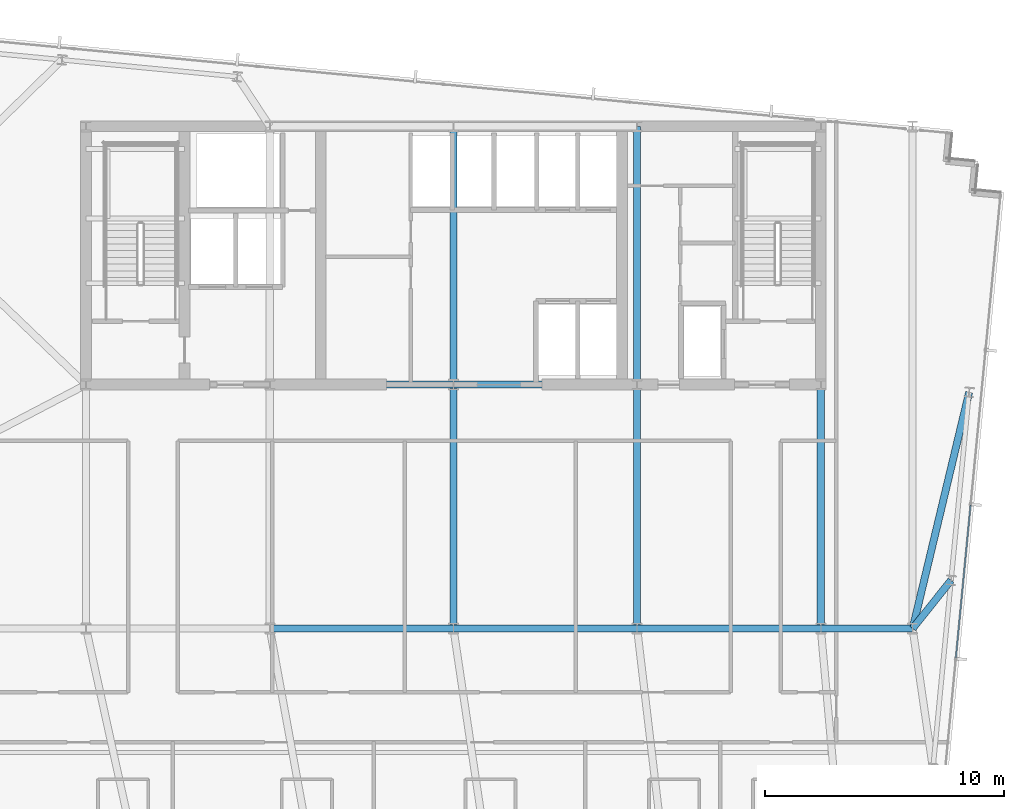
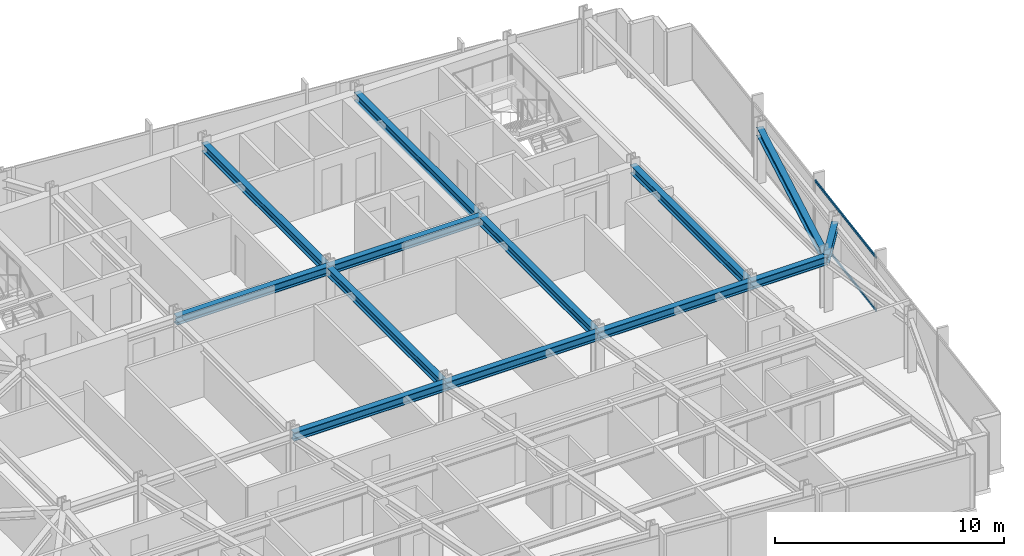
# One storey, part 17 of 37: 13 beams, 2 members, 1 element without a shape of its own.
"""IFC4 building model written with IfcOpenShell, lengths in metres."""

from ifc_helpers import new_model, si_unit, direction, frame, origin, origin_2d, place, context, subcontext, project, spatial, hollow_rectangle, i_section, extrude, material, material_profile, profile_set, type_object, element, aggregate, save


model = new_model("IFC4")

# Units and contexts
model_context = context("Model", 3, precision=1e-05, world=origin(), true_north=direction((0.0, 1.0)))
body_context = subcontext(model_context, "Body", "Model", "MODEL_VIEW")
ifc_project = project(units=[si_unit("LENGTHUNIT", "METRE"), si_unit("AREAUNIT", "SQUARE_METRE"), si_unit("VOLUMEUNIT", "CUBIC_METRE"), si_unit("PLANEANGLEUNIT", "RADIAN"), si_unit("MASSUNIT", "GRAM", prefix="KILO")], contexts=[model_context])

# Site, building, storey
site_placement = place(None, origin())
site = spatial("IfcSite", under=ifc_project, at=site_placement, CompositionType="ELEMENT")
building_placement = place(site_placement, origin())
building = spatial("IfcBuilding", under=site, at=building_placement, Name="Yelkora Congress Tower", CompositionType="ELEMENT")
storey_placement = place(building_placement, frame((0.0, 0.0, 188.60009765625)))
storey = spatial("IfcBuildingStorey", under=building, at=storey_placement, Name="L52", CompositionType="ELEMENT", Elevation=188.60009765625)

# Beams
ifc_material_1 = material(Name="Steel S355J2", Category="steel")
ifc_material_profile_1 = material_profile(ifc_material_1, i_section(OverallWidth=0.300048828125, OverallDepth=0.449951171875, WebThickness=0.013916015625, FlangeThickness=0.02587890625, FilletRadius=0.027099609375, at=origin_2d()), Name="HEB 450")
ifc_profile_set_1 = profile_set([ifc_material_profile_1], Name="Steel S355J2")
beam_type = type_object("IfcBeamType", Name="BM-GIRD-HEB450", PredefinedType="BEAM", material=ifc_profile_set_1)
beam_1_placement = place(storey_placement, frame((30.719970703125, 25.199951171875, 2.65478515625), z_axis=(1.0, 0.0, 0.0), x_axis=(0.0, 1.0, 0.0)))
element("IfcBeam", 1, at=beam_1_placement, inside=storey, type_object=beam_type, Name="L52 Spine Grid D Girder 3", PredefinedType="BEAM", context=body_context, shape_type="SweptSolid", body=[
    extrude(i_section(OverallWidth=0.300048828125, OverallDepth=0.449951171875, WebThickness=0.013916015625, FlangeThickness=0.02587890625, FilletRadius=0.027099609375, at=origin_2d()), origin(), (0.0, 0.0, 1.0), 7.679931640625),
])
beam_2_placement = place(storey_placement, frame((38.39990234375, 25.199951171875, 2.65478515625), z_axis=(1.0, 0.0, 0.0), x_axis=(0.0, 1.0, 0.0)))
element("IfcBeam", 2, at=beam_2_placement, inside=storey, type_object=beam_type, Name="L52 Spine Grid D Girder 4", PredefinedType="BEAM", context=body_context, shape_type="SweptSolid", body=[
    extrude(i_section(OverallWidth=0.300048828125, OverallDepth=0.449951171875, WebThickness=0.013916015625, FlangeThickness=0.02587890625, FilletRadius=0.027099609375, at=origin_2d()), origin(), (0.0, 0.0, 1.0), 7.68017578125),
])
beam_3_placement = place(storey_placement, frame((46.080078125, 25.199951171875, 2.65478515625), z_axis=(1.0, 0.0, 0.0), x_axis=(0.0, 1.0, 0.0)))
element("IfcBeam", 3, at=beam_3_placement, inside=storey, type_object=beam_type, Name="L52 Spine Grid D Girder 5", PredefinedType="BEAM", context=body_context, shape_type="SweptSolid", body=[
    extrude(i_section(OverallWidth=0.300048828125, OverallDepth=0.449951171875, WebThickness=0.013916015625, FlangeThickness=0.02587890625, FilletRadius=0.027099609375, at=origin_2d()), origin(), (0.0, 0.0, 1.0), 7.679931640625),
])
beam_4_placement = place(storey_placement, frame((53.760009765625, 25.199951171875, 2.65478515625), z_axis=(1.0, 0.0, 0.0), x_axis=(0.0, 1.0, 0.0)))
element("IfcBeam", 4, at=beam_4_placement, inside=storey, type_object=beam_type, Name="L52 Spine Grid D Girder 6", PredefinedType="BEAM", context=body_context, shape_type="SweptSolid", body=[
    extrude(i_section(OverallWidth=0.300048828125, OverallDepth=0.449951171875, WebThickness=0.013916015625, FlangeThickness=0.02587890625, FilletRadius=0.027099609375, at=origin_2d()), origin(), (0.0, 0.0, 1.0), 3.840087890625),
])
beam_5_placement = place(storey_placement, frame((30.719970703125, 35.39990234375, 2.65478515625), z_axis=(1.0, 0.0, 0.0), x_axis=(0.0, 1.0, 0.0)))
element("IfcBeam", 5, at=beam_5_placement, inside=storey, type_object=beam_type, Name="L52 Core South Girder 2", PredefinedType="BEAM", context=body_context, shape_type="SweptSolid", body=[
    extrude(i_section(OverallWidth=0.300048828125, OverallDepth=0.449951171875, WebThickness=0.013916015625, FlangeThickness=0.02587890625, FilletRadius=0.027099609375, at=origin_2d()), origin(), (0.0, 0.0, 1.0), 7.679931640625),
])
beam_6_placement = place(storey_placement, frame((38.39990234375, 35.39990234375, 2.65478515625), z_axis=(1.0, 0.0, 0.0), x_axis=(0.0, 1.0, 0.0)))
element("IfcBeam", 6, at=beam_6_placement, inside=storey, type_object=beam_type, Name="L52 Core South Girder 3", PredefinedType="BEAM", context=body_context, shape_type="SweptSolid", body=[
    extrude(i_section(OverallWidth=0.300048828125, OverallDepth=0.449951171875, WebThickness=0.013916015625, FlangeThickness=0.02587890625, FilletRadius=0.027099609375, at=origin_2d()), origin(), (0.0, 0.0, 1.0), 7.68017578125),
])
beam_7_placement = place(storey_placement, frame((38.39990234375, 25.199951171875, 2.65478515625), z_axis=(0.0, 1.0, 0.0), x_axis=(-1.0, 0.0, 0.0)))
element("IfcBeam", 7, at=beam_7_placement, inside=storey, type_object=beam_type, Name="L52 Core Tie Girder MC-D3", PredefinedType="BEAM", context=body_context, shape_type="SweptSolid", body=[
    extrude(i_section(OverallWidth=0.300048828125, OverallDepth=0.449951171875, WebThickness=0.013916015625, FlangeThickness=0.02587890625, FilletRadius=0.027099609375, at=origin_2d()), origin(), (0.0, 0.0, 1.0), 10.199951171875),
])
beam_8_placement = place(storey_placement, frame((38.39990234375, 35.39990234375, 2.65478515625), z_axis=(0.0, 1.0, 0.0), x_axis=(-1.0, 0.0, 0.0)))
element("IfcBeam", 8, at=beam_8_placement, inside=storey, type_object=beam_type, Name="L52 Core Tie Girder MC-S3", PredefinedType="BEAM", context=body_context, shape_type="SweptSolid", body=[
    extrude(i_section(OverallWidth=0.300048828125, OverallDepth=0.449951171875, WebThickness=0.013916015625, FlangeThickness=0.02587890625, FilletRadius=0.027099609375, at=origin_2d()), origin(), (0.0, 0.0, 1.0), 10.800048828125),
])
beam_9_placement = place(storey_placement, frame((46.080078125, 25.199951171875, 2.65478515625), z_axis=(0.0, 1.0, 0.0), x_axis=(-1.0, 0.0, 0.0)))
element("IfcBeam", 9, at=beam_9_placement, inside=storey, type_object=beam_type, Name="L52 Core Tie Girder MC-D4", PredefinedType="BEAM", context=body_context, shape_type="SweptSolid", body=[
    extrude(i_section(OverallWidth=0.300048828125, OverallDepth=0.449951171875, WebThickness=0.013916015625, FlangeThickness=0.02587890625, FilletRadius=0.027099609375, at=origin_2d()), origin(), (0.0, 0.0, 1.0), 10.199951171875),
])
beam_10_placement = place(storey_placement, frame((46.080078125, 35.39990234375, 2.65478515625), z_axis=(0.0, 1.0, 0.0), x_axis=(-1.0, 0.0, 0.0)))
element("IfcBeam", 10, at=beam_10_placement, inside=storey, type_object=beam_type, Name="L52 Core Tie Girder MC-S4", PredefinedType="BEAM", context=body_context, shape_type="SweptSolid", body=[
    extrude(i_section(OverallWidth=0.300048828125, OverallDepth=0.449951171875, WebThickness=0.013916015625, FlangeThickness=0.02587890625, FilletRadius=0.027099609375, at=origin_2d()), origin(), (0.0, 0.0, 1.0), 10.800048828125),
])
beam_11_placement = place(storey_placement, frame((53.760009765625, 25.199951171875, 2.65478515625), z_axis=(0.0, 1.0, 0.0), x_axis=(-1.0, 0.0, 0.0)))
element("IfcBeam", 11, at=beam_11_placement, inside=storey, type_object=beam_type, Name="L52 Core Tie Girder MC-D5", PredefinedType="BEAM", context=body_context, shape_type="SweptSolid", body=[
    extrude(i_section(OverallWidth=0.300048828125, OverallDepth=0.449951171875, WebThickness=0.013916015625, FlangeThickness=0.02587890625, FilletRadius=0.027099609375, at=origin_2d()), origin(), (0.0, 0.0, 1.0), 10.199951171875),
])
beam_12_placement = place(storey_placement, frame((59.206298828125, 27.217529296875, 2.65478515625), z_axis=(-0.622834511353, -0.782353610248, 0.0), x_axis=(0.782353610248, -0.622834511353, 0.0)))
element("IfcBeam", 12, at=beam_12_placement, inside=storey, type_object=beam_type, Name="L52 Primary Frame Girder E02", PredefinedType="BEAM", context=body_context, shape_type="SweptSolid", body=[
    extrude(i_section(OverallWidth=0.300048828125, OverallDepth=0.449951171875, WebThickness=0.013916015625, FlangeThickness=0.02587890625, FilletRadius=0.027099609375, at=origin_2d()), origin(), (0.0, 0.0, 1.0), 2.578857421875),
])
beam_13_placement = place(storey_placement, frame((59.96337890625, 35.0810546875, 2.65478515625), z_axis=(-0.23261126158, -0.972569792347, 0.0), x_axis=(0.972569792347, -0.23261126158, 0.0)))
element("IfcBeam", 13, at=beam_13_placement, inside=storey, type_object=beam_type, Name="L52 Primary Frame Girder E03", PredefinedType="BEAM", context=body_context, shape_type="SweptSolid", body=[
    extrude(i_section(OverallWidth=0.300048828125, OverallDepth=0.449951171875, WebThickness=0.013916015625, FlangeThickness=0.02587890625, FilletRadius=0.027099609375, at=origin_2d()), origin(), (0.0, 0.0, 1.0), 10.15966796875),
])

# Curtain wall, members
ifc_material_2 = material(Name="Anodised aluminium and insulated glass", Category="aluminium")
curtain_wall_type = type_object("IfcCurtainWallType", Name="CW-SYS-B3", PredefinedType="NOTDEFINED", material=ifc_material_2)
curtain_wall_placement = place(storey_placement, origin())
curtain_wall = element("IfcCurtainWall", 14, at=curtain_wall_placement, inside=storey, type_object=curtain_wall_type, Name="L52 Unitised Curtain Wall 15", PredefinedType="NOTDEFINED")
ifc_material_3 = material(Name="Anodised aluminium 6063-T6", Category="aluminium")
ifc_material_profile_2 = material_profile(ifc_material_3, hollow_rectangle(XDim=0.06005859375, YDim=0.1298828125, WallThickness=0.00390625, at=origin_2d()), Name="ALU 60x130x4")
ifc_profile_set_2 = profile_set([ifc_material_profile_2], Name="Anodised aluminium 6063-T6")
member_type = type_object("IfcMemberType", Name="MEM-TR-B3", PredefinedType="USERDEFINED", material=ifc_profile_set_2)
member_1_placement = place(storey_placement, frame((60.021484375, 30.36083984375, 0.02978515625), z_axis=(-0.095843682057, -0.995396397728, 0.0), x_axis=(0.995396397728, -0.095843682057, 0.0)))
member_1 = element("IfcMember", 15, at=member_1_placement, type_object=member_type, Name="CW-B3 transom 3.1", ObjectType="TRANSOM", PredefinedType="USERDEFINED", context=body_context, shape_type="SweptSolid", body=[
    extrude(hollow_rectangle(XDim=0.06005859375, YDim=0.1298828125, WallThickness=0.00390625, at=origin_2d()), origin(), (0.0, 0.0, 1.0), 6.4140625),
])
member_2_placement = place(storey_placement, frame((60.021484375, 30.36083984375, 2.849853515625), z_axis=(-0.095843682057, -0.995396397728, 0.0), x_axis=(0.995396397728, -0.095843682057, 0.0)))
member_2 = element("IfcMember", 16, at=member_2_placement, type_object=member_type, Name="CW-B3 transom 3.2", ObjectType="TRANSOM", PredefinedType="USERDEFINED", context=body_context, shape_type="SweptSolid", body=[
    extrude(hollow_rectangle(XDim=0.06005859375, YDim=0.1298828125, WallThickness=0.00390625, at=origin_2d()), origin(), (0.0, 0.0, 1.0), 6.4140625),
])
aggregate(curtain_wall, [member_1, member_2])

save(model, "model.ifc")
